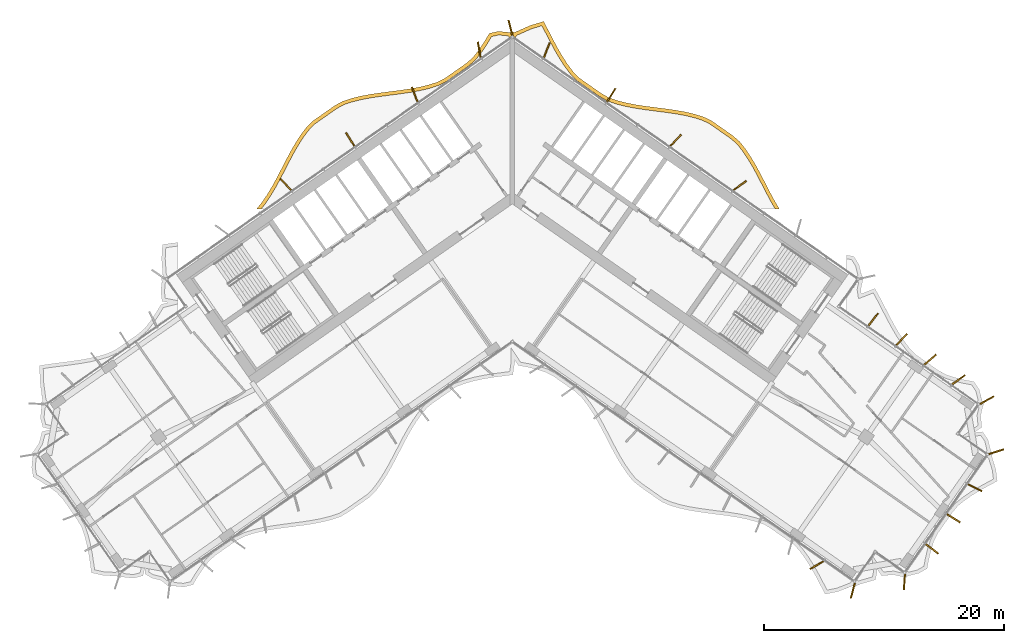
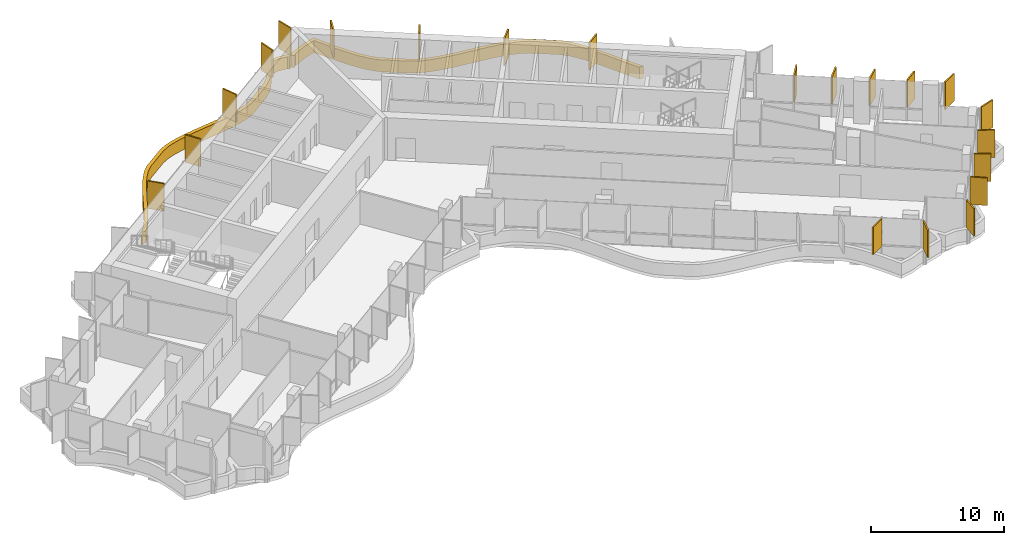
# One storey, part 21 of 22: 22 shading devices.
"""IFC4 building model written with IfcOpenShell, lengths in metres."""

from ifc_helpers import new_model, si_unit, direction, frame, origin, origin_2d, place, context, subcontext, project, spatial, polyline, rectangle, outline, extrude, material, layer, layer_set, type_object, element, save


model = new_model("IFC4")

# Units and contexts
model_context = context("Model", 3, precision=1e-05, world=origin(), true_north=direction((0.0, 1.0)))
body_context = subcontext(model_context, "Body", "Model", "MODEL_VIEW")
ifc_project = project(units=[si_unit("LENGTHUNIT", "METRE"), si_unit("AREAUNIT", "SQUARE_METRE"), si_unit("VOLUMEUNIT", "CUBIC_METRE"), si_unit("PLANEANGLEUNIT", "RADIAN"), si_unit("MASSUNIT", "GRAM", prefix="KILO")], contexts=[model_context])

# Site, building, storey
site_placement = place(None, origin())
site = spatial("IfcSite", under=ifc_project, at=site_placement, CompositionType="ELEMENT")
building_placement = place(site_placement, origin())
building = spatial("IfcBuilding", under=site, at=building_placement, Name="Tel Ilan Convention Tower", CompositionType="ELEMENT")
storey_placement = place(building_placement, frame((0.0, 0.0, 135.89990234375)))
storey = spatial("IfcBuildingStorey", under=building, at=storey_placement, Name="L30", CompositionType="ELEMENT", Elevation=135.89990234375)

# Shading devices
ifc_material_1 = material(Name="Aluminium, bronze anodised", Category="aluminium")
ifc_layer_1 = layer(ifc_material_1, 0.1201171875)
ifc_layer_set_1 = layer_set([ifc_layer_1], Name="FIN BRONZE 1300x120")
shading_device_type_1 = type_object("IfcShadingDeviceType", Name="FIN BRONZE 1300x120", PredefinedType="USERDEFINED", material=ifc_layer_set_1)
for number, where, z_axis, x_axis, name in (
    (1, (18.96826171875, 0.308349609375, 1.10009765625), (0.0, 0.0, 1.0), (0.813552070258, 0.581492071294, 0.0), "FIN"),
    (2, (13.61376953125, 4.080810546875, 1.10009765625), (0.0, 0.0, 1.0), (0.686241637865, 0.727373641577, 0.0), "FIN"),
    (3, (8.245849609375, 7.83984375, 1.10009765625), (0.0, 0.0, 1.0), (0.533204432798, 0.845986425922, 0.0), "FIN"),
    (4, (2.874755859375, 11.592529296875, 1.10009765625), (0.0, 0.0, 1.0), (0.360177724803, 0.932883704733, 0.0), "FIN"),
    (5, (-0.156005859375, 13.463134765625, 1.10009765625), (0.0, 0.0, 1.0), (-0.240039791311, 0.970763049661, 0.0), "FIN"),
    (6, (-2.759765625, 11.63525390625, 1.10009765625), (0.0, 0.0, 1.0), (-0.173648177667, 0.984807753012, 0.0), "FIN"),
    (7, (-8.139892578125, 7.90576171875, 1.10009765625), (0.0, 0.0, 1.0), (-0.360177724803, 0.932883704733, 0.0), "FIN"),
    (8, (-13.510986328125, 4.153076171875, 1.10009765625), (0.0, 0.0, 1.0), (-0.533204432798, 0.845986425922, 0.0), "FIN"),
    (9, (-18.879150390625, 0.39404296875, 1.10009765625), (0.0, 0.0, 1.0), (-0.686241637865, 0.727373641577, 0.0), "FIN"),
    (10, (25.37353515625, -31.334228515625, 1.10009765625), (0.0, 0.0, 1.0), (-0.866025403784, -0.5, 0.0), "FIN"),
    (11, (28.3818359375, -33.458251953125, 1.10009765625), (0.0, 0.0, 1.0), (-0.258819045103, -0.965925826289, 0.0), "FIN"),
    (12, (32.68212890625, -32.7314453125, 1.10009765625), (0.0, 0.0, 1.0), (-0.067821812994, -0.997697449973, 0.0), "FIN"),
    (13, (34.989013671875, -29.970458984375, 1.10009765625), (0.0, 0.0, 1.0), (0.790392669516, -0.612600545196, 0.0), "FIN"),
    (14, (36.7744140625, -27.42041015625, 1.10009765625), (0.0, 0.0, 1.0), (0.845986425922, -0.533204432798, 0.0), "FIN"),
    (15, (38.5595703125, -24.870361328125, 1.10009765625), (0.0, 0.0, 1.0), (0.893632640321, -0.448799180206, 0.0), "FIN"),
    (16, (40.3466796875, -21.869873046875, 1.10009765625), (0.0, 0.0, 1.0), (0.949242643575, 0.314544756146, 0.0), "FIN"),
    (17, (39.570068359375, -17.574462890625, 1.10009765625), (0.0, 0.0, 1.0), (0.870832754082, 0.491579408049, 0.0), "FIN"),
    (18, (37.1982421875, -15.87451171875, 1.10009765625), (0.0, 0.0, 1.0), (0.813552070258, 0.581492071294, 0.0), "FIN"),
    (19, (34.82958984375, -14.20068359375, 1.10009765625), (0.0, 0.0, 1.0), (0.753435896329, 0.657521368568, 0.0), "FIN"),
    (20, (32.456298828125, -12.531005859375, 1.10009765625), (0.0, 0.0, 1.0), (0.686241637865, 0.727373641577, 0.0), "FIN"),
    (21, (30.078857421875, -10.865966796875, 1.10009765625), (0.0, 0.0, 1.0), (0.612600545196, 0.790392669516, 0.0), "FIN"),
):
    element("IfcShadingDevice", number, at=place(storey_placement, frame(where, z_axis=z_axis, x_axis=x_axis)), inside=storey, type_object=shading_device_type_1, Name=name, ObjectType="FIN", PredefinedType="USERDEFINED", context=body_context, shape_type="SweptSolid", body=[
        extrude(rectangle(XDim=1.300048828125, YDim=0.1201171875, at=origin_2d()), origin(), (0.0, 0.0, 1.0), 2.52001953125),
    ])
ifc_material_2 = material(Name="Aluminium, bronze anodised", Category="aluminium")
ifc_layer_2 = layer(ifc_material_2, 0.300048828125)
ifc_layer_set_2 = layer_set([ifc_layer_2], Name="LOUVRE BAND 300x1100")
shading_device_type_2 = type_object("IfcShadingDeviceType", Name="LOUVRE BAND 300x1100", PredefinedType="USERDEFINED", material=ifc_layer_set_2)
shading_device_placement = place(storey_placement, origin())
element("IfcShadingDevice", 22, at=shading_device_placement, inside=storey, type_object=shading_device_type_2, Name="LOUVRE BAND 24.02", ObjectType="LOUVRE", PredefinedType="USERDEFINED", context=body_context, shape_type="SweptSolid", body=[
    extrude(outline(polyline([(-20.849609375, -1.0634765625), (-21.30126953125, -1.631591796875), (-20.91796875, -1.631591796875), (-20.607666015625, -1.2412109375), (-20.154052734375, -0.572265625), (-19.73291015625, 0.13330078125), (-19.335205078125, 0.86328125), (-18.57080078125, 2.342041015625), (-18.1845703125, 3.06298828125), (-17.78369140625, 3.75341796875), (-17.359619140625, 4.40185546875), (-16.911376953125, 4.99072265625), (-16.409912109375, 5.478515625), (-14.633056640625, 6.722412109375), (-14.02197265625, 7.05712890625), (-13.32763671875, 7.284912109375), (-12.58056640625, 7.4697265625), (-11.800048828125, 7.61669921875), (-10.994384765625, 7.73681640625), (-9.345458984375, 7.94873046875), (-8.521484375, 8.068603515625), (-7.710693359375, 8.216064453125), (-6.921875, 8.404296875), (-6.152587890625, 8.64794921875), (-5.447509765625, 9.00390625), (-3.604248046875, 10.29443359375), (-3.021484375, 10.82373046875), (-2.525634765625, 11.46142578125), (-2.076904296875, 12.135498046875), (-1.727783203125, 12.727294921875), (-1.12451171875, 12.861572265625), (-0.33935546875, 12.77978515625), (-0.24609375, 12.646728515625), (0.0, 12.818115234375), (0.24609375, 12.646728515625), (0.3701171875, 12.82373046875), (1.583984375, 13.365234375), (2.46484375, 13.628173828125), (3.115478515625, 12.37158203125), (3.5078125, 11.636474609375), (3.92041015625, 10.921630859375), (4.362548828125, 10.239501953125), (4.84716796875, 9.595947265625), (5.407958984375, 9.031494140625), (7.251220703125, 7.74072265625), (7.93212890625, 7.353759765625), (8.69921875, 7.09716796875), (9.48291015625, 6.89990234375), (10.2900390625, 6.745361328125), (11.112060546875, 6.621337890625), (12.762939453125, 6.408935546875), (13.572509765625, 6.29248046875), (14.3583984375, 6.15185546875), (15.11279296875, 5.97509765625), (15.819580078125, 5.75537109375), (16.44921875, 5.450927734375), (18.22607421875, 4.206787109375), (18.74951171875, 3.746826171875), (19.200927734375, 3.172607421875), (19.63037109375, 2.533447265625), (20.03515625, 1.850341796875), (20.423583984375, 1.13427734375), (21.186767578125, -0.3427734375), (21.5810546875, -1.075927734375), (21.906005859375, -1.631591796875), (22.25341796875, -1.631591796875), (21.8427734375, -0.928955078125), (21.4521484375, -0.202880859375), (20.688720703125, 1.27490234375), (20.296142578125, 1.998291015625), (19.884033203125, 2.69384765625), (19.44384765625, 3.34912109375), (18.96826171875, 3.9541015625), (18.41162109375, 4.443115234375), (16.6015625, 5.71044921875), (15.929931640625, 6.03515625), (15.191650390625, 6.2646484375), (14.419189453125, 6.44580078125), (13.6201171875, 6.588623046875), (12.80322265625, 6.7060546875), (11.15380859375, 6.91845703125), (10.340576171875, 7.041259765625), (9.547607421875, 7.19287109375), (8.783447265625, 7.385498046875), (8.054931640625, 7.62890625), (7.411865234375, 7.99462890625), (5.601806640625, 9.261962890625), (5.074462890625, 9.792724609375), (4.608642578125, 10.41162109375), (4.17626953125, 11.078369140625), (3.770263671875, 11.7822265625), (3.38134765625, 12.510986328125), (2.6162109375, 13.986328125), (1.4794921875, 13.647216796875), (0.168701171875, 13.059326171875), (0.11474609375, 13.09521484375), (0.0, 13.1181640625), (-0.11474609375, 13.09521484375), (-0.168701171875, 13.059326171875), (-1.14208984375, 13.1650390625), (-1.919921875, 12.991943359375), (-2.3310546875, 12.294921875), (-2.769287109375, 11.63671875), (-3.242431640625, 11.0283203125), (-3.7919921875, 10.529296875), (-5.601806640625, 9.261962890625), (-6.26611328125, 8.926513671875), (-7.002197265625, 8.693603515625), (-7.7724609375, 8.509765625), (-8.570068359375, 8.36474609375), (-9.385986328125, 8.24609375), (-11.03564453125, 8.033935546875), (-11.849853515625, 7.91259765625), (-12.644287109375, 7.76318359375), (-13.41064453125, 7.573486328125), (-14.141845703125, 7.33349609375), (-14.791748046875, 6.977783203125), (-16.6015625, 5.71044921875), (-17.136474609375, 5.1904296875), (-17.604736328125, 4.574951171875), (-18.0390625, 3.9111328125), (-18.44677734375, 3.209228515625), (-18.83642578125, 2.481689453125), (-19.60009765625, 1.004150390625), (-19.993408203125, 0.281982421875), (-20.4072265625, -0.4111328125), (-20.849609375, -1.0634765625)])), origin(), (0.0, 0.0, 1.0), 1.10009765625),
])

save(model, "model.ifc")
